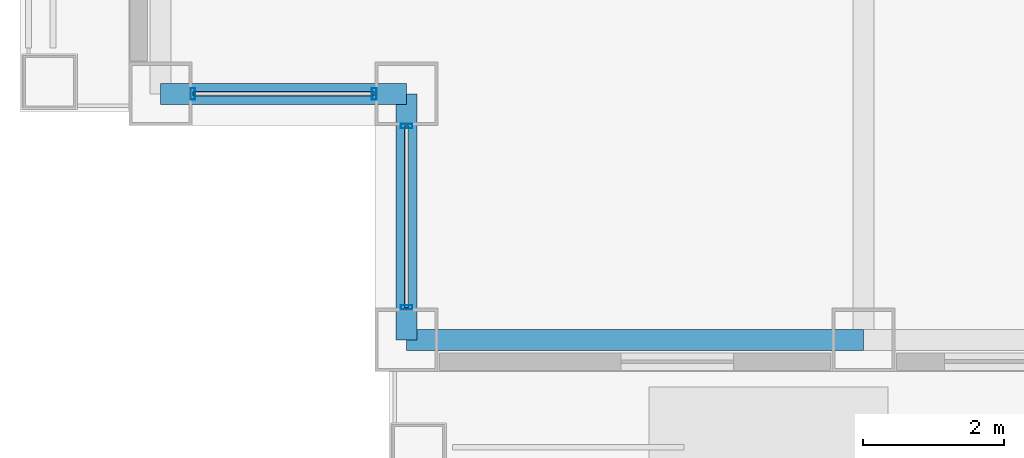
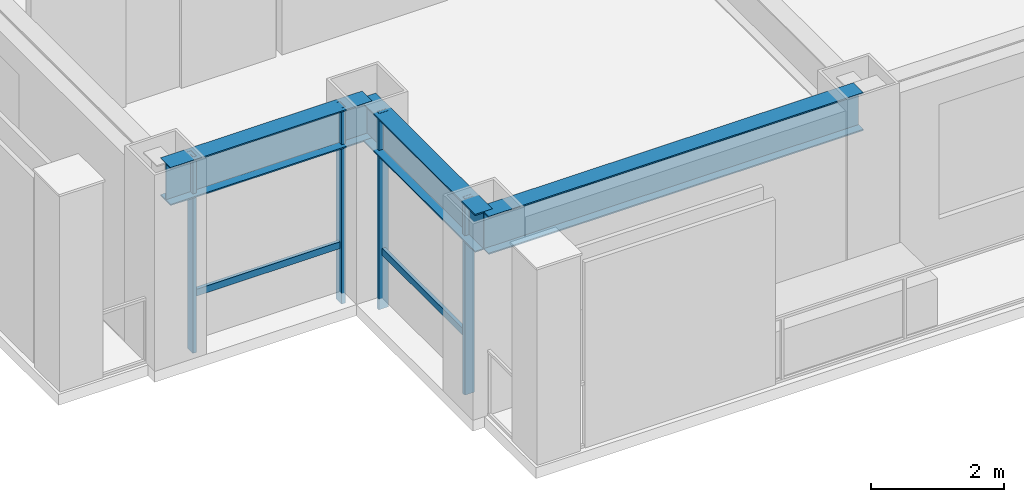
# One storey, part 2 of 29: 6 members, 3 beams, 2 elements without a shape of their own.
"""IFC4 building model written with IfcOpenShell, lengths in metres."""

from ifc_helpers import new_model, si_unit, direction, frame, origin, origin_2d, place, context, subcontext, project, spatial, hollow_rectangle, i_section, extrude, material, layer, layer_set, material_profile, profile_set, type_object, element, aggregate, save


model = new_model("IFC4")

# Units and contexts
model_context = context("Model", 3, precision=1e-05, world=origin(), true_north=direction((0.0, 1.0)))
body_context = subcontext(model_context, "Body", "Model", "MODEL_VIEW")
ifc_project = project(units=[si_unit("LENGTHUNIT", "METRE"), si_unit("AREAUNIT", "SQUARE_METRE"), si_unit("VOLUMEUNIT", "CUBIC_METRE"), si_unit("PLANEANGLEUNIT", "RADIAN"), si_unit("MASSUNIT", "GRAM", prefix="KILO")], contexts=[model_context])

# Site, building, storey
site_placement = place(None, origin())
site = spatial("IfcSite", under=ifc_project, at=site_placement, CompositionType="ELEMENT")
building_placement = place(site_placement, origin())
building = spatial("IfcBuilding", under=site, at=building_placement, Name="Brelmoor Portico Tower", CompositionType="ELEMENT")
storey_placement = place(building_placement, frame((0.0, 0.0, 67.199951171875)))
storey = spatial("IfcBuildingStorey", under=building, at=storey_placement, Name="L17", CompositionType="ELEMENT", Elevation=67.199951171875)

# Beams
ifc_material_1 = material(Name="Steel Q355B", Category="steel")
ifc_material_profile_1 = material_profile(ifc_material_1, i_section(OverallWidth=0.300048828125, OverallDepth=0.699951171875, WebThickness=0.012939453125, FlangeThickness=0.02392578125, at=origin_2d()), Name="HN 700x300x13x24")
ifc_profile_set_1 = profile_set([ifc_material_profile_1], Name="Steel Q355B")
beam_type = type_object("IfcBeamType", Name="BM-SP-700", PredefinedType="SPANDREL", material=ifc_profile_set_1)
beam_placement = place(storey_placement, frame((-21.050048828125, -21.550048828125, 3.050048828125), z_axis=(1.0, 0.0, 0.0), x_axis=(0.0, 1.0, 0.0)))
element("IfcBeam", 1, at=beam_placement, inside=storey, type_object=beam_type, Name="L17 Perimeter Spandrel Beam SP-01", PredefinedType="SPANDREL", context=body_context, shape_type="SweptSolid", body=[
    extrude(i_section(OverallWidth=0.300048828125, OverallDepth=0.699951171875, WebThickness=0.012939453125, FlangeThickness=0.02392578125, at=origin_2d()), origin(), (0.0, 0.0, 1.0), 6.5),
])
for number, where, z_axis, x_axis, name in (
    (2, (-24.550048828125, -18.050048828125, 3.050048828125), (1.0, 0.0, 0.0), (0.0, 1.0, 0.0), "L17 Perimeter Spandrel Beam SP-06"),
    (3, (-21.050048828125, -21.550048828125, 3.050048828125), (0.0, 1.0, 0.0), (-1.0, 0.0, 0.0), "L17 Perimeter Spandrel Beam SP-18"),
):
    element("IfcBeam", number, at=place(storey_placement, frame(where, z_axis=z_axis, x_axis=x_axis)), inside=storey, type_object=beam_type, Name=name, PredefinedType="SPANDREL", context=body_context, shape_type="SweptSolid", body=[
        extrude(i_section(OverallWidth=0.300048828125, OverallDepth=0.699951171875, WebThickness=0.012939453125, FlangeThickness=0.02392578125, at=origin_2d()), origin(), (0.0, 0.0, 1.0), 3.5),
    ])

# Curtain wall, members
ifc_material_2 = material(Name="Anodised Aluminium Alloy 6063-T6", Category="aluminium")
ifc_layer = layer(ifc_material_2, 0.179931640625)
ifc_layer_set = layer_set([ifc_layer], Name="Anodised Aluminium Alloy 6063-T6")
curtain_wall_type = type_object("IfcCurtainWallType", Name="CW-NOTCH-CHAMFER", PredefinedType="NOTDEFINED", material=ifc_layer_set)
curtain_wall_1_placement = place(storey_placement, origin())
curtain_wall_1 = element("IfcCurtainWall", 4, at=curtain_wall_1_placement, inside=storey, type_object=curtain_wall_type, Name="L17 Curtain Wall CWN-L17-SWH", PredefinedType="NOTDEFINED")
ifc_material_profile_2 = material_profile(ifc_material_2, hollow_rectangle(XDim=0.06494140625, YDim=0.1650390625, WallThickness=0.00390625, at=origin_2d()), Name="ALU MULLION 65x165")
ifc_profile_set_2 = profile_set([ifc_material_profile_2], Name="Anodised Aluminium Alloy 6063-T6")
member_type_1 = type_object("IfcMemberType", Name="MB-CW-MULL-165", PredefinedType="MULLION", material=ifc_profile_set_2)
member_1_placement = place(storey_placement, frame((-24.090087890625, -18.050048828125, -0.199951171875), z_axis=(0.0, 0.0, 1.0), x_axis=(1.0, 0.0, 0.0)))
member_1 = element("IfcMember", 5, at=member_1_placement, type_object=member_type_1, Name="CWN-L17-SWH Mullion 00", PredefinedType="MULLION", context=body_context, shape_type="SweptSolid", body=[
    extrude(hollow_rectangle(XDim=0.06494140625, YDim=0.1650390625, WallThickness=0.00390625, at=origin_2d()), origin(), (0.0, 0.0, 1.0), 3.60009765625),
])
member_2_placement = place(storey_placement, frame((-21.510009765625, -18.050048828125, -0.199951171875), z_axis=(0.0, 0.0, 1.0), x_axis=(1.0, 0.0, 0.0)))
member_2 = element("IfcMember", 6, at=member_2_placement, type_object=member_type_1, Name="CWN-L17-SWH Mullion 01", PredefinedType="MULLION", context=body_context, shape_type="SweptSolid", body=[
    extrude(hollow_rectangle(XDim=0.06494140625, YDim=0.1650390625, WallThickness=0.00390625, at=origin_2d()), origin(), (0.0, 0.0, 1.0), 3.60009765625),
])

curtain_wall_2_placement = place(storey_placement, origin())
curtain_wall_2 = element("IfcCurtainWall", 7, at=curtain_wall_2_placement, inside=storey, type_object=curtain_wall_type, Name="L17 Curtain Wall CWN-L17-SWV", PredefinedType="NOTDEFINED")
member_3_placement = place(storey_placement, frame((-21.050048828125, -21.090087890625, -0.199951171875), z_axis=(0.0, 0.0, 1.0), x_axis=(0.0, 1.0, 0.0)))
member_3 = element("IfcMember", 8, at=member_3_placement, type_object=member_type_1, Name="CWN-L17-SWV Mullion 00", PredefinedType="MULLION", context=body_context, shape_type="SweptSolid", body=[
    extrude(hollow_rectangle(XDim=0.06494140625, YDim=0.1650390625, WallThickness=0.00390625, at=origin_2d()), origin(), (0.0, 0.0, 1.0), 3.60009765625),
])
member_4_placement = place(storey_placement, frame((-21.050048828125, -18.510009765625, -0.199951171875), z_axis=(0.0, 0.0, 1.0), x_axis=(0.0, 1.0, 0.0)))
member_4 = element("IfcMember", 9, at=member_4_placement, type_object=member_type_1, Name="CWN-L17-SWV Mullion 01", PredefinedType="MULLION", context=body_context, shape_type="SweptSolid", body=[
    extrude(hollow_rectangle(XDim=0.06494140625, YDim=0.1650390625, WallThickness=0.00390625, at=origin_2d()), origin(), (0.0, 0.0, 1.0), 3.60009765625),
])

# Member
ifc_material_profile_3 = material_profile(ifc_material_2, hollow_rectangle(XDim=0.06005859375, YDim=0.125, WallThickness=0.00341796875, at=origin_2d()), Name="ALU TRANSOM 60x125")
ifc_profile_set_3 = profile_set([ifc_material_profile_3], Name="Anodised Aluminium Alloy 6063-T6")
member_type_2 = type_object("IfcMemberType", Name="MB-CW-TRAN-125", PredefinedType="USERDEFINED", material=ifc_profile_set_3)
member_5_placement = place(storey_placement, frame((-24.090087890625, -18.050048828125, 0.85009765625), z_axis=(1.0, 0.0, 0.0), x_axis=(0.0, 1.0, 0.0)))
member_5 = element("IfcMember", 10, at=member_5_placement, type_object=member_type_2, Name="CWN-L17-SWH Transom 1-00", ObjectType="TRANSOM", PredefinedType="USERDEFINED", context=body_context, shape_type="SweptSolid", body=[
    extrude(hollow_rectangle(XDim=0.06005859375, YDim=0.125, WallThickness=0.00341796875, at=origin_2d()), origin(), (0.0, 0.0, 1.0), 2.580078125),
])

aggregate(curtain_wall_1, [member_1, member_2, member_5])

member_6_placement = place(storey_placement, frame((-21.050048828125, -21.090087890625, 0.85009765625), z_axis=(0.0, 1.0, 0.0), x_axis=(-1.0, 0.0, 0.0)))
member_6 = element("IfcMember", 11, at=member_6_placement, type_object=member_type_2, Name="CWN-L17-SWV Transom 1-00", ObjectType="TRANSOM", PredefinedType="USERDEFINED", context=body_context, shape_type="SweptSolid", body=[
    extrude(hollow_rectangle(XDim=0.06005859375, YDim=0.125, WallThickness=0.00341796875, at=origin_2d()), origin(), (0.0, 0.0, 1.0), 2.580078125),
])

aggregate(curtain_wall_2, [member_3, member_4, member_6])

save(model, "model.ifc")
